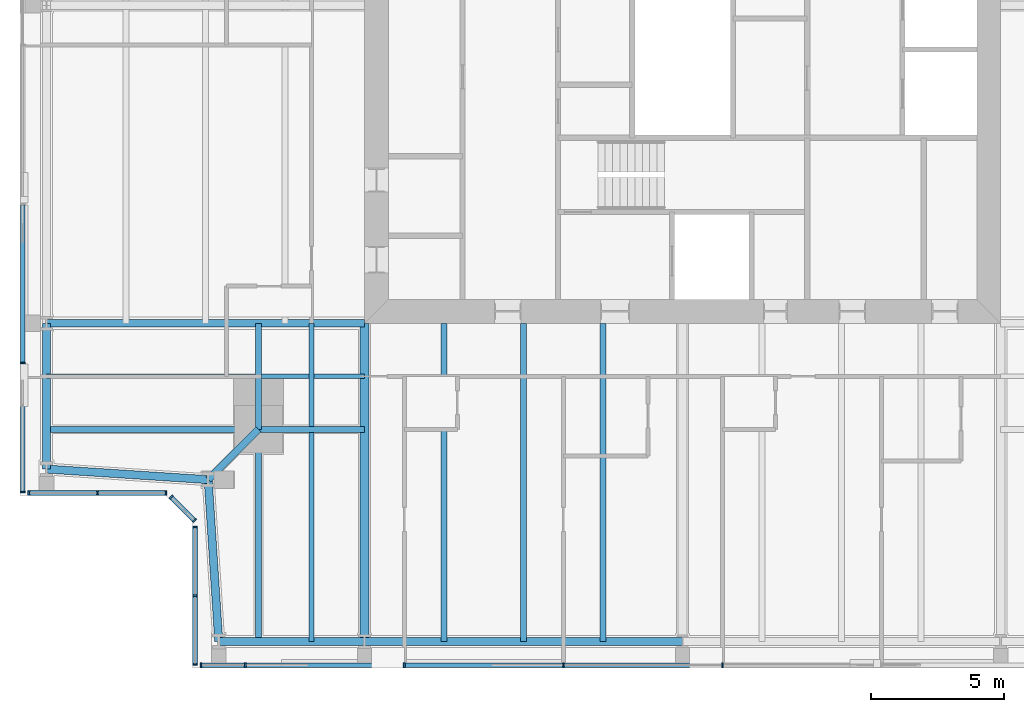
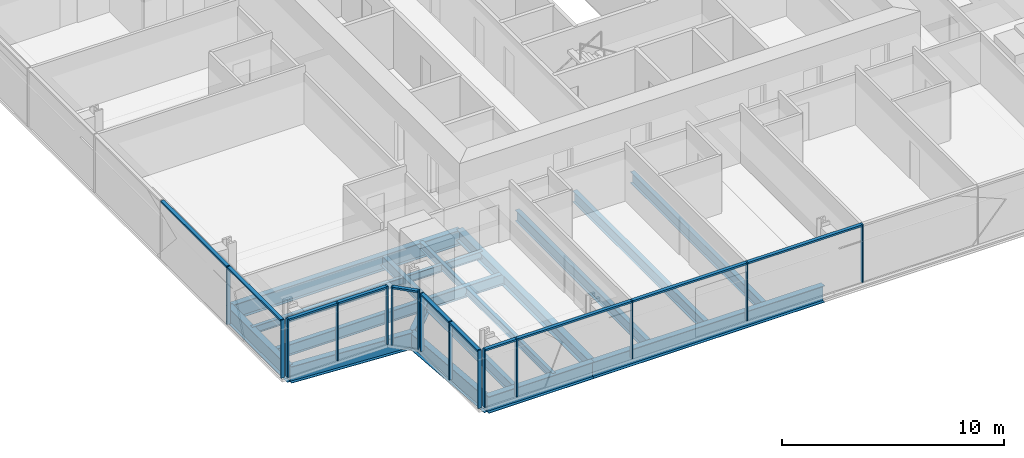
# One storey, part 2 of 18: 26 members, 20 beams, 5 elements without a shape of their own.
"""IFC4 building model written with IfcOpenShell, lengths in metres."""

from ifc_helpers import new_model, si_unit, direction, frame, origin, origin_2d, place, context, subcontext, project, spatial, rectangle, i_section, extrude, material, material_profile, profile_set, type_object, element, aggregate, save


model = new_model("IFC4")

# Units and contexts
model_context = context("Model", 3, precision=1e-05, world=origin(), true_north=direction((0.0, 1.0)))
body_context = subcontext(model_context, "Body", "Model", "MODEL_VIEW")
ifc_project = project(units=[si_unit("LENGTHUNIT", "METRE"), si_unit("AREAUNIT", "SQUARE_METRE"), si_unit("VOLUMEUNIT", "CUBIC_METRE"), si_unit("PLANEANGLEUNIT", "RADIAN"), si_unit("MASSUNIT", "GRAM", prefix="KILO")], contexts=[model_context])

# Site, building, storey
site_placement = place(None, origin())
site = spatial("IfcSite", under=ifc_project, at=site_placement, CompositionType="ELEMENT")
building_placement = place(site_placement, origin())
building = spatial("IfcBuilding", under=site, at=building_placement, Name="Fenwick Lantern Interchange", CompositionType="ELEMENT")
storey_placement = place(building_placement, frame((0.0, 0.0, 293.39990234375)))
storey = spatial("IfcBuildingStorey", under=building, at=storey_placement, Name="L71", CompositionType="ELEMENT", Elevation=293.39990234375)

# Beams
ifc_material_1 = material(Name="Steel ASTM A992 Grade 50", Category="steel")
ifc_material_profile_1 = material_profile(ifc_material_1, i_section(OverallWidth=0.3046875, OverallDepth=0.911865234375, WebThickness=0.015869140625, FlangeThickness=0.02392578125, at=origin_2d()), Name="W36X150")
ifc_profile_set_1 = profile_set([ifc_material_profile_1], Name="Steel ASTM A992 Grade 50")
beam_type_1 = type_object("IfcBeamType", Name="EDGE BEAM W36X150", PredefinedType="SPANDREL", material=ifc_profile_set_1)
beam_1_placement = place(storey_placement, frame((7.5, 1.0, -0.605712890625), z_axis=(1.0, 0.0, 0.0), x_axis=(0.0, 1.0, 0.0)))
element("IfcBeam", 1, at=beam_1_placement, inside=storey, type_object=beam_type_1, Name="L71/FR/S/EB1", PredefinedType="SPANDREL", context=body_context, shape_type="SweptSolid", body=[
    extrude(i_section(OverallWidth=0.3046875, OverallDepth=0.911865234375, WebThickness=0.015869140625, FlangeThickness=0.02392578125, at=origin_2d()), origin(), (0.0, 0.0, 1.0), 5.5),
])
beam_2_placement = place(storey_placement, frame((13.0, 1.0, -0.605712890625), z_axis=(1.0, 0.0, 0.0), x_axis=(0.0, 1.0, 0.0)))
element("IfcBeam", 2, at=beam_2_placement, inside=storey, type_object=beam_type_1, Name="L71/FR/S/EB2", PredefinedType="SPANDREL", context=body_context, shape_type="SweptSolid", body=[
    extrude(i_section(OverallWidth=0.3046875, OverallDepth=0.911865234375, WebThickness=0.015869140625, FlangeThickness=0.02392578125, at=origin_2d()), origin(), (0.0, 0.0, 1.0), 12.0),
])
beam_3_placement = place(storey_placement, frame((1.0, 13.0, -0.605712890625), z_axis=(0.0, -1.0, 0.0), x_axis=(1.0, 0.0, 0.0)))
element("IfcBeam", 3, at=beam_3_placement, inside=storey, type_object=beam_type_1, Name="L71/FR/W/EB4", PredefinedType="SPANDREL", context=body_context, shape_type="SweptSolid", body=[
    extrude(i_section(OverallWidth=0.3046875, OverallDepth=0.911865234375, WebThickness=0.015869140625, FlangeThickness=0.02392578125, at=origin_2d()), origin(), (0.0, 0.0, 1.0), 5.5),
])
for number, where, z_axis, x_axis, name in (
    (4, (1.0, 7.5, -0.605712890625), (0.997858060337, -0.065416293237, 0.0), (0.065416293237, 0.997858060337, 0.0), "L71/FR/W/EBR1"),
    (5, (7.10009765625, 7.10009765625, -0.605712890625), (0.065416293237, -0.997858060337, 0.0), (0.997858060337, 0.065416293237, 0.0), "L71/FR/W/EBR2"),
):
    element("IfcBeam", number, at=place(storey_placement, frame(where, z_axis=z_axis, x_axis=x_axis)), inside=storey, type_object=beam_type_1, Name=name, PredefinedType="SPANDREL", context=body_context, shape_type="SweptSolid", body=[
        extrude(i_section(OverallWidth=0.3046875, OverallDepth=0.911865234375, WebThickness=0.015869140625, FlangeThickness=0.02392578125, at=origin_2d()), origin(), (0.0, 0.0, 1.0), 6.11328125),
    ])
ifc_material_profile_2 = material_profile(ifc_material_1, i_section(OverallWidth=0.22900390625, OverallDepth=0.612060546875, WebThickness=0.011962890625, FlangeThickness=0.01953125, at=origin_2d()), Name="W24X84")
ifc_profile_set_2 = profile_set([ifc_material_profile_2], Name="Steel ASTM A992 Grade 50")
beam_type_2 = type_object("IfcBeamType", Name="FLOOR BEAM W24X84", PredefinedType="BEAM", material=ifc_profile_set_2)
for number, where, z_axis, x_axis, name in (
    (6, (16.0, 1.0, -0.4560546875), (0.0, 1.0, 0.0), (-1.0, 0.0, 0.0), "L71/FR/S/R02"),
    (7, (19.0, 1.0, -0.4560546875), (0.0, 1.0, 0.0), (-1.0, 0.0, 0.0), "L71/FR/S/R03"),
    (8, (22.0, 1.0, -0.4560546875), (0.0, 1.0, 0.0), (-1.0, 0.0, 0.0), "L71/FR/S/R04"),
):
    element("IfcBeam", number, at=place(storey_placement, frame(where, z_axis=z_axis, x_axis=x_axis)), inside=storey, type_object=beam_type_2, Name=name, PredefinedType="BEAM", context=body_context, shape_type="SweptSolid", body=[
        extrude(i_section(OverallWidth=0.22900390625, OverallDepth=0.612060546875, WebThickness=0.011962890625, FlangeThickness=0.01953125, at=origin_2d()), origin(), (0.0, 0.0, 1.0), 12.0),
    ])

# Curtain wall, members
ifc_material_2 = material(Name="Aluminium curtain wall frame", Category="aluminium")
curtain_wall_type = type_object("IfcCurtainWallType", Name="HOTEL CURTAIN WALL", PredefinedType="USERDEFINED", material=ifc_material_2)
curtain_wall_1_placement = place(storey_placement, origin())
curtain_wall_1 = element("IfcCurtainWall", 9, at=curtain_wall_1_placement, inside=storey, type_object=curtain_wall_type, Name="Hotel curtain wall 01", ObjectType="HOTEL CURTAIN WALL", PredefinedType="USERDEFINED")
ifc_material_3 = material(Name="Aluminium extrusion", Category="aluminium")
ifc_material_profile_3 = material_profile(ifc_material_3, rectangle(XDim=0.179931640625, YDim=0.06005859375, at=origin_2d()), Name="HOTEL CURTAIN WALL MULLION 60 X 180")
ifc_profile_set_3 = profile_set([ifc_material_profile_3], Name="Aluminium extrusion")
member_type_1 = type_object("IfcMemberType", Name="HOTEL CURTAIN WALL MULLION 60 X 180", PredefinedType="MULLION", material=ifc_profile_set_3)
member_1_placement = place(storey_placement, frame((6.830078125, 0.10009765625, 0.0), z_axis=(0.0, 0.0, 1.0), x_axis=(0.0, 1.0, 0.0)))
member_1 = element("IfcMember", 10, at=member_1_placement, type_object=member_type_1, Name="L71/CW/01/M00", PredefinedType="MULLION", context=body_context, shape_type="SweptSolid", body=[
    extrude(rectangle(XDim=0.179931640625, YDim=0.06005859375, at=origin_2d()), origin(), (0.0, 0.0, 1.0), 3.2001953125),
])
member_2_placement = place(storey_placement, frame((8.5, 0.10009765625, 0.0), z_axis=(0.0, 0.0, 1.0), x_axis=(0.0, 1.0, 0.0)))
member_2 = element("IfcMember", 11, at=member_2_placement, type_object=member_type_1, Name="L71/CW/01/M01", PredefinedType="MULLION", context=body_context, shape_type="SweptSolid", body=[
    extrude(rectangle(XDim=0.179931640625, YDim=0.06005859375, at=origin_2d()), origin(), (0.0, 0.0, 1.0), 3.2001953125),
])
member_3_placement = place(storey_placement, frame((14.5, 0.10009765625, 0.0), z_axis=(0.0, 0.0, 1.0), x_axis=(0.0, 1.0, 0.0)))
member_3 = element("IfcMember", 12, at=member_3_placement, type_object=member_type_1, Name="L71/CW/01/M02", PredefinedType="MULLION", context=body_context, shape_type="SweptSolid", body=[
    extrude(rectangle(XDim=0.179931640625, YDim=0.06005859375, at=origin_2d()), origin(), (0.0, 0.0, 1.0), 3.2001953125),
])
member_4_placement = place(storey_placement, frame((20.5, 0.10009765625, 0.0), z_axis=(0.0, 0.0, 1.0), x_axis=(0.0, 1.0, 0.0)))
member_4 = element("IfcMember", 13, at=member_4_placement, type_object=member_type_1, Name="L71/CW/01/M03", PredefinedType="MULLION", context=body_context, shape_type="SweptSolid", body=[
    extrude(rectangle(XDim=0.179931640625, YDim=0.06005859375, at=origin_2d()), origin(), (0.0, 0.0, 1.0), 3.2001953125),
])
member_5_placement = place(storey_placement, frame((26.5, 0.10009765625, 0.0), z_axis=(0.0, 0.0, 1.0), x_axis=(0.0, 1.0, 0.0)))
member_5 = element("IfcMember", 14, at=member_5_placement, type_object=member_type_1, Name="L71/CW/01/M04", PredefinedType="MULLION", context=body_context, shape_type="SweptSolid", body=[
    extrude(rectangle(XDim=0.179931640625, YDim=0.06005859375, at=origin_2d()), origin(), (0.0, 0.0, 1.0), 3.2001953125),
])

curtain_wall_2_placement = place(storey_placement, origin())
curtain_wall_2 = element("IfcCurtainWall", 15, at=curtain_wall_2_placement, inside=storey, type_object=curtain_wall_type, Name="Hotel curtain wall 13", ObjectType="HOTEL CURTAIN WALL", PredefinedType="USERDEFINED")
member_6_placement = place(storey_placement, frame((0.10009765625, 11.5, 0.0), z_axis=(0.0, 0.0, 1.0), x_axis=(1.0, 0.0, 0.0)))
member_6 = element("IfcMember", 16, at=member_6_placement, type_object=member_type_1, Name="L71/CW/13/M06", PredefinedType="MULLION", context=body_context, shape_type="SweptSolid", body=[
    extrude(rectangle(XDim=0.179931640625, YDim=0.06005859375, at=origin_2d()), origin(), (0.0, 0.0, 1.0), 3.2001953125),
])
member_7_placement = place(storey_placement, frame((0.10009765625, 6.6298828125, 0.0), z_axis=(0.0, 0.0, 1.0), x_axis=(1.0, 0.0, 0.0)))
member_7 = element("IfcMember", 17, at=member_7_placement, type_object=member_type_1, Name="L71/CW/13/M07", PredefinedType="MULLION", context=body_context, shape_type="SweptSolid", body=[
    extrude(rectangle(XDim=0.179931640625, YDim=0.06005859375, at=origin_2d()), origin(), (0.0, 0.0, 1.0), 3.2001953125),
])

curtain_wall_3_placement = place(storey_placement, origin())
curtain_wall_3 = element("IfcCurtainWall", 18, at=curtain_wall_3_placement, inside=storey, type_object=curtain_wall_type, Name="Hotel curtain wall 14", ObjectType="HOTEL CURTAIN WALL", PredefinedType="USERDEFINED")
member_8_placement = place(storey_placement, frame((0.330078125, 6.60009765625, 0.0), z_axis=(0.0, 0.0, 1.0), x_axis=(0.0, 1.0, 0.0)))
member_8 = element("IfcMember", 19, at=member_8_placement, type_object=member_type_1, Name="L71/CW/14/M00", PredefinedType="MULLION", context=body_context, shape_type="SweptSolid", body=[
    extrude(rectangle(XDim=0.179931640625, YDim=0.06005859375, at=origin_2d()), origin(), (0.0, 0.0, 1.0), 3.2001953125),
])
member_9_placement = place(storey_placement, frame((2.920654296875, 6.60009765625, 0.0), z_axis=(0.0, 0.0, 1.0), x_axis=(0.0, 1.0, 0.0)))
member_9 = element("IfcMember", 20, at=member_9_placement, type_object=member_type_1, Name="L71/CW/14/M01", PredefinedType="MULLION", context=body_context, shape_type="SweptSolid", body=[
    extrude(rectangle(XDim=0.179931640625, YDim=0.06005859375, at=origin_2d()), origin(), (0.0, 0.0, 1.0), 3.2001953125),
])
member_10_placement = place(storey_placement, frame((5.511474609375, 6.60009765625, 0.0), z_axis=(0.0, 0.0, 1.0), x_axis=(0.0, 1.0, 0.0)))
member_10 = element("IfcMember", 21, at=member_10_placement, type_object=member_type_1, Name="L71/CW/14/M02", PredefinedType="MULLION", context=body_context, shape_type="SweptSolid", body=[
    extrude(rectangle(XDim=0.179931640625, YDim=0.06005859375, at=origin_2d()), origin(), (0.0, 0.0, 1.0), 3.2001953125),
])

curtain_wall_4_placement = place(storey_placement, origin())
curtain_wall_4 = element("IfcCurtainWall", 22, at=curtain_wall_4_placement, inside=storey, type_object=curtain_wall_type, Name="Hotel curtain wall 15", ObjectType="HOTEL CURTAIN WALL", PredefinedType="USERDEFINED")
member_11_placement = place(storey_placement, frame((5.7041015625, 6.437255859375, 0.0), z_axis=(0.0, 0.0, 1.0), x_axis=(0.707106781187, 0.707106781187, 0.0)))
member_11 = element("IfcMember", 23, at=member_11_placement, type_object=member_type_1, Name="L71/CW/15/M00", PredefinedType="MULLION", context=body_context, shape_type="SweptSolid", body=[
    extrude(rectangle(XDim=0.179931640625, YDim=0.06005859375, at=origin_2d()), origin(), (0.0, 0.0, 1.0), 3.2001953125),
])
member_12_placement = place(storey_placement, frame((6.578857421875, 5.562744140625, 0.0), z_axis=(0.0, 0.0, 1.0), x_axis=(0.707106781187, 0.707106781187, 0.0)))
member_12 = element("IfcMember", 24, at=member_12_placement, type_object=member_type_1, Name="L71/CW/15/M01", PredefinedType="MULLION", context=body_context, shape_type="SweptSolid", body=[
    extrude(rectangle(XDim=0.179931640625, YDim=0.06005859375, at=origin_2d()), origin(), (0.0, 0.0, 1.0), 3.2001953125),
])

curtain_wall_5_placement = place(storey_placement, origin())
curtain_wall_5 = element("IfcCurtainWall", 25, at=curtain_wall_5_placement, inside=storey, type_object=curtain_wall_type, Name="Hotel curtain wall 16", ObjectType="HOTEL CURTAIN WALL", PredefinedType="USERDEFINED")
member_13_placement = place(storey_placement, frame((6.60009765625, 5.3115234375, 0.0), z_axis=(0.0, 0.0, 1.0), x_axis=(1.0, 0.0, 0.0)))
member_13 = element("IfcMember", 26, at=member_13_placement, type_object=member_type_1, Name="L71/CW/16/M00", PredefinedType="MULLION", context=body_context, shape_type="SweptSolid", body=[
    extrude(rectangle(XDim=0.179931640625, YDim=0.06005859375, at=origin_2d()), origin(), (0.0, 0.0, 1.0), 3.2001953125),
])
member_14_placement = place(storey_placement, frame((6.60009765625, 2.720703125, 0.0), z_axis=(0.0, 0.0, 1.0), x_axis=(1.0, 0.0, 0.0)))
member_14 = element("IfcMember", 27, at=member_14_placement, type_object=member_type_1, Name="L71/CW/16/M01", PredefinedType="MULLION", context=body_context, shape_type="SweptSolid", body=[
    extrude(rectangle(XDim=0.179931640625, YDim=0.06005859375, at=origin_2d()), origin(), (0.0, 0.0, 1.0), 3.2001953125),
])
member_15_placement = place(storey_placement, frame((6.60009765625, 0.1298828125, 0.0), z_axis=(0.0, 0.0, 1.0), x_axis=(1.0, 0.0, 0.0)))
member_15 = element("IfcMember", 28, at=member_15_placement, type_object=member_type_1, Name="L71/CW/16/M02", PredefinedType="MULLION", context=body_context, shape_type="SweptSolid", body=[
    extrude(rectangle(XDim=0.179931640625, YDim=0.06005859375, at=origin_2d()), origin(), (0.0, 0.0, 1.0), 3.2001953125),
])

# Member
ifc_material_profile_4 = material_profile(ifc_material_3, rectangle(XDim=0.179931640625, YDim=0.10009765625, at=origin_2d()), Name="HOTEL CURTAIN WALL TRANSOM 100 X 180")
ifc_profile_set_4 = profile_set([ifc_material_profile_4], Name="Aluminium extrusion")
member_type_2 = type_object("IfcMemberType", Name="HOTEL CURTAIN WALL TRANSOM 100 X 180", PredefinedType="MULLION", material=ifc_profile_set_4)
member_16_placement = place(storey_placement, frame((6.860107421875, 0.10009765625, 3.150146484375), z_axis=(1.0, 0.0, 0.0), x_axis=(0.0, 1.0, 0.0)))
member_16 = element("IfcMember", 29, at=member_16_placement, type_object=member_type_2, Name="L71/CW/01/T00", PredefinedType="MULLION", context=body_context, shape_type="SweptSolid", body=[
    extrude(rectangle(XDim=0.179931640625, YDim=0.10009765625, at=origin_2d()), origin(), (0.0, 0.0, 1.0), 1.60986328125),
])

member_17_placement = place(storey_placement, frame((8.530029296875, 0.10009765625, 3.150146484375), z_axis=(1.0, 0.0, 0.0), x_axis=(0.0, 1.0, 0.0)))
member_17 = element("IfcMember", 30, at=member_17_placement, type_object=member_type_2, Name="L71/CW/01/T01", PredefinedType="MULLION", context=body_context, shape_type="SweptSolid", body=[
    extrude(rectangle(XDim=0.179931640625, YDim=0.10009765625, at=origin_2d()), origin(), (0.0, 0.0, 1.0), 5.93994140625),
])

member_18_placement = place(storey_placement, frame((14.530029296875, 0.10009765625, 3.150146484375), z_axis=(1.0, 0.0, 0.0), x_axis=(0.0, 1.0, 0.0)))
member_18 = element("IfcMember", 31, at=member_18_placement, type_object=member_type_2, Name="L71/CW/01/T02", PredefinedType="MULLION", context=body_context, shape_type="SweptSolid", body=[
    extrude(rectangle(XDim=0.179931640625, YDim=0.10009765625, at=origin_2d()), origin(), (0.0, 0.0, 1.0), 5.93994140625),
])

member_19_placement = place(storey_placement, frame((20.530029296875, 0.10009765625, 3.150146484375), z_axis=(1.0, 0.0, 0.0), x_axis=(0.0, 1.0, 0.0)))
member_19 = element("IfcMember", 32, at=member_19_placement, type_object=member_type_2, Name="L71/CW/01/T03", PredefinedType="MULLION", context=body_context, shape_type="SweptSolid", body=[
    extrude(rectangle(XDim=0.179931640625, YDim=0.10009765625, at=origin_2d()), origin(), (0.0, 0.0, 1.0), 5.93994140625),
])

aggregate(curtain_wall_1, [member_1, member_2, member_3, member_4, member_5, member_16, member_17, member_18, member_19])

member_20_placement = place(storey_placement, frame((0.10009765625, 17.469970703125, 3.150146484375), z_axis=(0.0, -1.0, 0.0), x_axis=(1.0, 0.0, 0.0)))
member_20 = element("IfcMember", 33, at=member_20_placement, type_object=member_type_2, Name="L71/CW/13/T05", PredefinedType="MULLION", context=body_context, shape_type="SweptSolid", body=[
    extrude(rectangle(XDim=0.179931640625, YDim=0.10009765625, at=origin_2d()), origin(), (0.0, 0.0, 1.0), 5.93994140625),
])

member_21_placement = place(storey_placement, frame((0.10009765625, 11.469970703125, 3.150146484375), z_axis=(0.0, -1.0, 0.0), x_axis=(1.0, 0.0, 0.0)))
member_21 = element("IfcMember", 34, at=member_21_placement, type_object=member_type_2, Name="L71/CW/13/T06", PredefinedType="MULLION", context=body_context, shape_type="SweptSolid", body=[
    extrude(rectangle(XDim=0.179931640625, YDim=0.10009765625, at=origin_2d()), origin(), (0.0, 0.0, 1.0), 4.81005859375),
])

aggregate(curtain_wall_2, [member_6, member_7, member_20, member_21])

member_22_placement = place(storey_placement, frame((0.360107421875, 6.60009765625, 3.150146484375), z_axis=(1.0, 0.0, 0.0), x_axis=(0.0, 1.0, 0.0)))
member_22 = element("IfcMember", 35, at=member_22_placement, type_object=member_type_2, Name="L71/CW/14/T00", PredefinedType="MULLION", context=body_context, shape_type="SweptSolid", body=[
    extrude(rectangle(XDim=0.179931640625, YDim=0.10009765625, at=origin_2d()), origin(), (0.0, 0.0, 1.0), 2.530517578125),
])

member_23_placement = place(storey_placement, frame((2.95068359375, 6.60009765625, 3.150146484375), z_axis=(1.0, 0.0, 0.0), x_axis=(0.0, 1.0, 0.0)))
member_23 = element("IfcMember", 36, at=member_23_placement, type_object=member_type_2, Name="L71/CW/14/T01", PredefinedType="MULLION", context=body_context, shape_type="SweptSolid", body=[
    extrude(rectangle(XDim=0.179931640625, YDim=0.10009765625, at=origin_2d()), origin(), (0.0, 0.0, 1.0), 2.53076171875),
])

aggregate(curtain_wall_3, [member_8, member_9, member_10, member_22, member_23])

member_24_placement = place(storey_placement, frame((5.725341796875, 6.416259765625, 3.150146484375), z_axis=(0.707003077033, -0.707210470133, 0.0), x_axis=(0.707210470133, 0.707003077033, 0.0)))
member_24 = element("IfcMember", 37, at=member_24_placement, type_object=member_type_2, Name="L71/CW/15/T00", PredefinedType="MULLION", context=body_context, shape_type="SweptSolid", body=[
    extrude(rectangle(XDim=0.179931640625, YDim=0.10009765625, at=origin_2d()), origin(), (0.0, 0.0, 1.0), 1.17724609375),
])

aggregate(curtain_wall_4, [member_11, member_12, member_24])

member_25_placement = place(storey_placement, frame((6.60009765625, 5.281494140625, 3.150146484375), z_axis=(0.0, -1.0, 0.0), x_axis=(1.0, 0.0, 0.0)))
member_25 = element("IfcMember", 38, at=member_25_placement, type_object=member_type_2, Name="L71/CW/16/T00", PredefinedType="MULLION", context=body_context, shape_type="SweptSolid", body=[
    extrude(rectangle(XDim=0.179931640625, YDim=0.10009765625, at=origin_2d()), origin(), (0.0, 0.0, 1.0), 2.53076171875),
])

member_26_placement = place(storey_placement, frame((6.60009765625, 2.690673828125, 3.150146484375), z_axis=(0.0, -1.0, 0.0), x_axis=(1.0, 0.0, 0.0)))
member_26 = element("IfcMember", 39, at=member_26_placement, type_object=member_type_2, Name="L71/CW/16/T01", PredefinedType="MULLION", context=body_context, shape_type="SweptSolid", body=[
    extrude(rectangle(XDim=0.179931640625, YDim=0.10009765625, at=origin_2d()), origin(), (0.0, 0.0, 1.0), 2.53076171875),
])

aggregate(curtain_wall_5, [member_13, member_14, member_15, member_25, member_26])

# Beams
ifc_material_profile_5 = material_profile(ifc_material_1, i_section(OverallWidth=0.177734375, OverallDepth=0.406494140625, WebThickness=0.0078125, FlangeThickness=0.012939453125, at=origin_2d()), Name="W16X40")
ifc_profile_set_5 = profile_set([ifc_material_profile_5], Name="Steel ASTM A992 Grade 50")
beam_type_3 = type_object("IfcBeamType", Name="INFILL BEAM W16X40", PredefinedType="JOIST", material=ifc_profile_set_5)
beam_4_placement = place(storey_placement, frame((11.0, 1.0, -0.35302734375), z_axis=(0.0, 1.0, 0.0), x_axis=(-1.0, 0.0, 0.0)))
element("IfcBeam", 40, at=beam_4_placement, inside=storey, type_object=beam_type_3, Name="L71/FR/S/J1", PredefinedType="JOIST", context=body_context, shape_type="SweptSolid", body=[
    extrude(i_section(OverallWidth=0.177734375, OverallDepth=0.406494140625, WebThickness=0.0078125, FlangeThickness=0.012939453125, at=origin_2d()), origin(), (0.0, 0.0, 1.0), 7.885498046875),
])
beam_5_placement = place(storey_placement, frame((11.0, 9.114501953125, -0.35302734375), z_axis=(0.0, 1.0, 0.0), x_axis=(-1.0, 0.0, 0.0)))
element("IfcBeam", 41, at=beam_5_placement, inside=storey, type_object=beam_type_3, Name="L71/FR/S/J2", PredefinedType="JOIST", context=body_context, shape_type="SweptSolid", body=[
    extrude(i_section(OverallWidth=0.177734375, OverallDepth=0.406494140625, WebThickness=0.0078125, FlangeThickness=0.012939453125, at=origin_2d()), origin(), (0.0, 0.0, 1.0), 3.885498046875),
])
beam_6_placement = place(storey_placement, frame((1.0, 11.0, -0.35302734375), z_axis=(1.0, 0.0, 0.0), x_axis=(0.0, 1.0, 0.0)))
element("IfcBeam", 42, at=beam_6_placement, inside=storey, type_object=beam_type_3, Name="L71/FR/S/J3", PredefinedType="JOIST", context=body_context, shape_type="SweptSolid", body=[
    extrude(i_section(OverallWidth=0.177734375, OverallDepth=0.406494140625, WebThickness=0.0078125, FlangeThickness=0.012939453125, at=origin_2d()), origin(), (0.0, 0.0, 1.0), 7.885498046875),
])
beam_7_placement = place(storey_placement, frame((9.114501953125, 11.0, -0.35302734375), z_axis=(1.0, 0.0, 0.0), x_axis=(0.0, 1.0, 0.0)))
element("IfcBeam", 43, at=beam_7_placement, inside=storey, type_object=beam_type_3, Name="L71/FR/S/J4", PredefinedType="JOIST", context=body_context, shape_type="SweptSolid", body=[
    extrude(i_section(OverallWidth=0.177734375, OverallDepth=0.406494140625, WebThickness=0.0078125, FlangeThickness=0.012939453125, at=origin_2d()), origin(), (0.0, 0.0, 1.0), 1.796630859375),
])
beam_8_placement = place(storey_placement, frame((11.0888671875, 11.0, -0.35302734375), z_axis=(1.0, 0.0, 0.0), x_axis=(0.0, 1.0, 0.0)))
element("IfcBeam", 44, at=beam_8_placement, inside=storey, type_object=beam_type_3, Name="L71/FR/S/J5", PredefinedType="JOIST", context=body_context, shape_type="SweptSolid", body=[
    extrude(i_section(OverallWidth=0.177734375, OverallDepth=0.406494140625, WebThickness=0.0078125, FlangeThickness=0.012939453125, at=origin_2d()), origin(), (0.0, 0.0, 1.0), 1.9111328125),
])
ifc_material_profile_6 = material_profile(ifc_material_1, i_section(OverallWidth=0.22900390625, OverallDepth=0.612060546875, WebThickness=0.011962890625, FlangeThickness=0.01953125, at=origin_2d()), Name="W24X84")
ifc_profile_set_6 = profile_set([ifc_material_profile_6], Name="Steel ASTM A992 Grade 50")
beam_type_4 = type_object("IfcBeamType", Name="MEGA COLUMN BEAM W24X84", PredefinedType="BEAM", material=ifc_profile_set_6)
for number, where, z_axis, x_axis, name in (
    (45, (9.0, 9.0, -0.4560546875), (0.0, -1.0, 0.0), (1.0, 0.0, 0.0), "L71/FR/S/MB1"),
    (46, (9.0, 9.0, -0.4560546875), (-1.0, 0.0, 0.0), (0.0, -1.0, 0.0), "L71/FR/S/MB2"),
):
    element("IfcBeam", number, at=place(storey_placement, frame(where, z_axis=z_axis, x_axis=x_axis)), inside=storey, type_object=beam_type_4, Name=name, PredefinedType="BEAM", context=body_context, shape_type="SweptSolid", body=[
        extrude(i_section(OverallWidth=0.22900390625, OverallDepth=0.612060546875, WebThickness=0.011962890625, FlangeThickness=0.01953125, at=origin_2d()), origin(), (0.0, 0.0, 1.0), 8.0),
    ])
for number, where, z_axis, x_axis, name in (
    (47, (9.0, 9.0, -0.4560546875), (1.0, 0.0, 0.0), (0.0, 1.0, 0.0), "L71/FR/S/MB3"),
    (48, (9.0, 9.0, -0.4560546875), (0.0, 1.0, 0.0), (-1.0, 0.0, 0.0), "L71/FR/S/MB4"),
):
    element("IfcBeam", number, at=place(storey_placement, frame(where, z_axis=z_axis, x_axis=x_axis)), inside=storey, type_object=beam_type_4, Name=name, PredefinedType="BEAM", context=body_context, shape_type="SweptSolid", body=[
        extrude(i_section(OverallWidth=0.22900390625, OverallDepth=0.612060546875, WebThickness=0.011962890625, FlangeThickness=0.01953125, at=origin_2d()), origin(), (0.0, 0.0, 1.0), 4.0),
    ])
ifc_material_profile_7 = material_profile(ifc_material_1, i_section(OverallWidth=0.32763671875, OverallDepth=0.622314453125, WebThickness=0.015380859375, FlangeThickness=0.0244140625, at=origin_2d()), Name="W24X131")
ifc_profile_set_7 = profile_set([ifc_material_profile_7], Name="Steel ASTM A992 Grade 50")
beam_type_5 = type_object("IfcBeamType", Name="MOMENT-CONNECTED GIRDER W24X131", PredefinedType="BEAM", material=ifc_profile_set_7)
beam_9_placement = place(storey_placement, frame((13.0, 1.0, -0.4609375), z_axis=(0.0, 1.0, 0.0), x_axis=(-1.0, 0.0, 0.0)))
element("IfcBeam", 49, at=beam_9_placement, inside=storey, type_object=beam_type_5, Name="L71/FR/S/R01", PredefinedType="BEAM", context=body_context, shape_type="SweptSolid", body=[
    extrude(i_section(OverallWidth=0.32763671875, OverallDepth=0.622314453125, WebThickness=0.015380859375, FlangeThickness=0.0244140625, at=origin_2d()), origin(), (0.0, 0.0, 1.0), 12.0),
])
ifc_material_profile_8 = material_profile(ifc_material_1, i_section(OverallWidth=0.2919921875, OverallDepth=0.845703125, WebThickness=0.015380859375, FlangeThickness=0.0244140625, at=origin_2d()), Name="W33X141")
ifc_profile_set_8 = profile_set([ifc_material_profile_8], Name="Steel ASTM A992 Grade 50")
beam_type_6 = type_object("IfcBeamType", Name="MOMENT-CONNECTED GIRDER W33X141", PredefinedType="BEAM", material=ifc_profile_set_8)
beam_10_placement = place(storey_placement, frame((1.0, 13.0, -0.57275390625), z_axis=(1.0, 0.0, 0.0), x_axis=(0.0, 1.0, 0.0)))
element("IfcBeam", 50, at=beam_10_placement, inside=storey, type_object=beam_type_6, Name="L71/FR/W/R03", PredefinedType="BEAM", context=body_context, shape_type="SweptSolid", body=[
    extrude(i_section(OverallWidth=0.2919921875, OverallDepth=0.845703125, WebThickness=0.015380859375, FlangeThickness=0.0244140625, at=origin_2d()), origin(), (0.0, 0.0, 1.0), 12.0),
])
ifc_material_profile_9 = material_profile(ifc_material_1, i_section(OverallWidth=0.2666015625, OverallDepth=0.7568359375, WebThickness=0.013916015625, FlangeThickness=0.019287109375, at=origin_2d()), Name="W30X108")
ifc_profile_set_9 = profile_set([ifc_material_profile_9], Name="Steel ASTM A992 Grade 50")
beam_type_7 = type_object("IfcBeamType", Name="NOTCH BEAM W30X108", PredefinedType="BEAM", material=ifc_profile_set_9)
beam_11_placement = place(storey_placement, frame((9.0, 9.0, -0.5283203125), z_axis=(-0.707106781187, -0.707106781187, 0.0), x_axis=(0.707106781187, -0.707106781187, 0.0)))
element("IfcBeam", 51, at=beam_11_placement, inside=storey, type_object=beam_type_7, Name="L71/FR/S/TG", PredefinedType="BEAM", context=body_context, shape_type="SweptSolid", body=[
    extrude(i_section(OverallWidth=0.2666015625, OverallDepth=0.7568359375, WebThickness=0.013916015625, FlangeThickness=0.019287109375, at=origin_2d()), origin(), (0.0, 0.0, 1.0), 2.686767578125),
])

save(model, "model.ifc")
